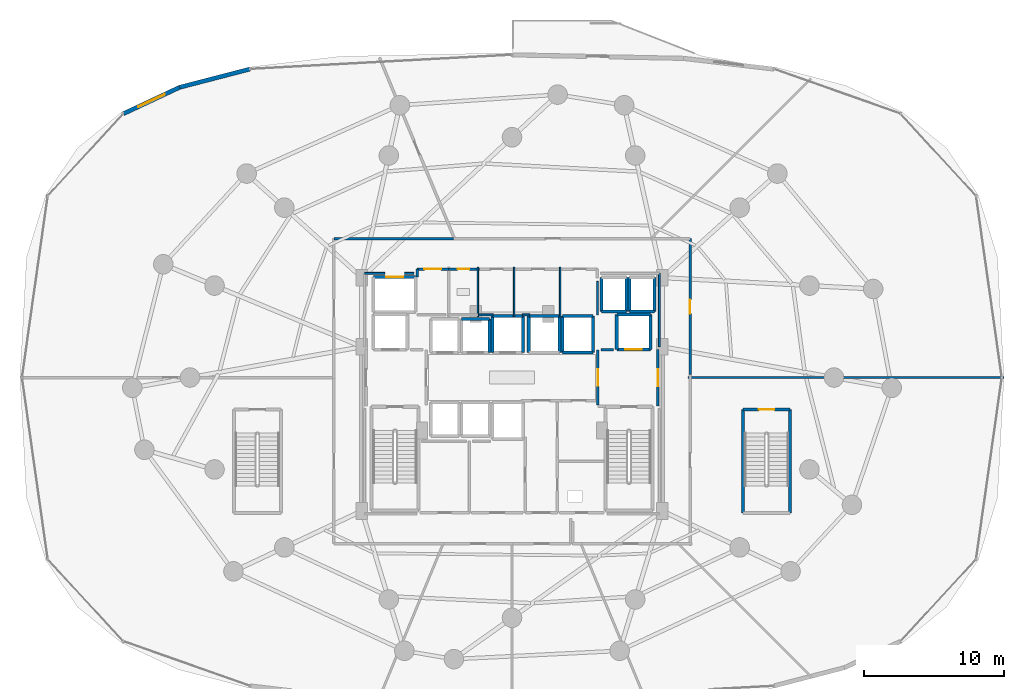
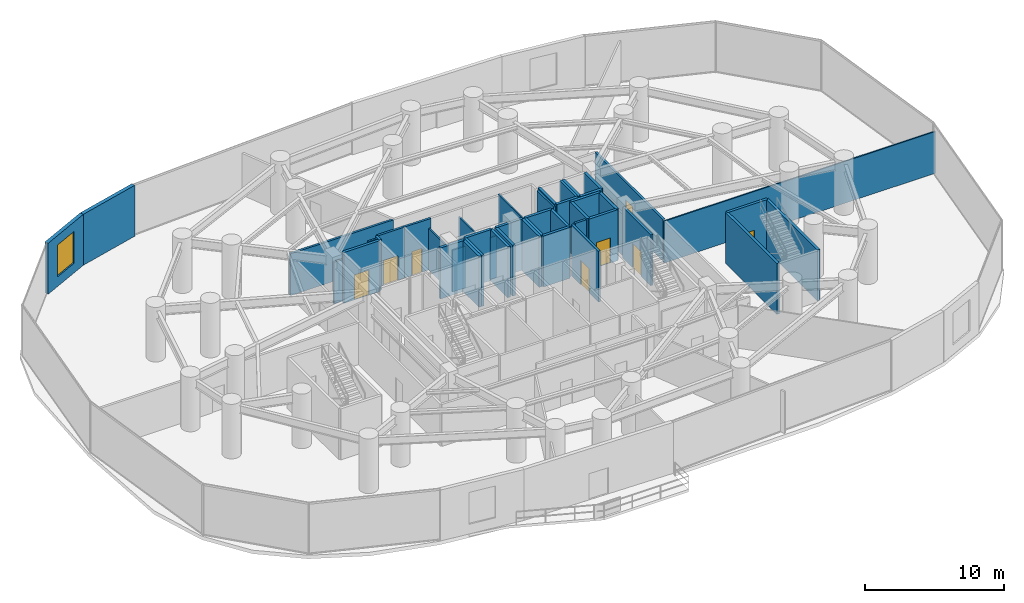
# One storey, part 26 of 30: 46 walls, 8 doors, 1 window, 9 openings.
"""IFC4 building model written with IfcOpenShell, lengths in metres."""

from ifc_helpers import new_model, si_unit, direction, frame, frame_2d, origin, place, context, subcontext, project, spatial, rectangle, extrude, material, layer, layer_set, type_object, element, fill, save


model = new_model("IFC4")

# Units and contexts
model_context = context("Model", 3, precision=1e-05, world=origin(), true_north=direction((0.0, 1.0)))
body_context = subcontext(model_context, "Body", "Model", "MODEL_VIEW")
ifc_project = project(units=[si_unit("LENGTHUNIT", "METRE"), si_unit("AREAUNIT", "SQUARE_METRE"), si_unit("VOLUMEUNIT", "CUBIC_METRE"), si_unit("PLANEANGLEUNIT", "RADIAN"), si_unit("MASSUNIT", "GRAM", prefix="KILO")], contexts=[model_context])

# Site, building, storey
site_placement = place(None, origin())
site = spatial("IfcSite", under=ifc_project, at=site_placement, CompositionType="ELEMENT")
building_placement = place(site_placement, origin())
building = spatial("IfcBuilding", under=site, at=building_placement, Name="Vorneva Point Tower", CompositionType="ELEMENT")
storey_placement = place(building_placement, frame((0.0, 0.0, 9.60009765625)))
storey = spatial("IfcBuildingStorey", under=building, at=storey_placement, Name="L02", CompositionType="ELEMENT", Elevation=9.60009765625)

# Wall, opening, door
ifc_material_1 = material(Name="Concrete B60 (C50/60)", Category="concrete")
ifc_layer_1 = layer(ifc_material_1, 0.5)
ifc_layer_set_1 = layer_set([ifc_layer_1], Name="Concrete B60 (C50/60)")
wall_type_1 = type_object("IfcWallType", Name="WL-CORE-500", PredefinedType="SHEAR", material=ifc_layer_set_1)
wall_1_placement = place(storey_placement, frame((45.5, 28.0, 0.0), z_axis=(0.0, 0.0, 1.0), x_axis=(1.0, 0.0, 0.0)))
wall_1 = element("IfcWall", 1, at=wall_1_placement, inside=storey, type_object=wall_type_1, Name="L02 Lift FFL2 Shaft Wall -Y", PredefinedType="SHEAR", context=body_context, shape_type="SweptSolid", body=[
    extrude(rectangle(XDim=2.39990234375, YDim=0.219970703125, at=frame_2d((1.199951171875, 0.0))), origin(), (0.0, 0.0, 1.0), 4.47998046875),
])
opening_1_placement = place(wall_1_placement, frame((0.60009765625, 0.0, 0.0)))
opening_1 = element("IfcOpeningElement", 2, at=opening_1_placement, cuts=wall_1, Name="Opening LD-02", PredefinedType="OPENING", context=body_context, shape_type="SweptSolid", body=[
    extrude(rectangle(XDim=1.199951171875, YDim=2.199951171875, at=frame_2d((0.60009765625, 1.10009765625))), frame((0.0, 0.125, 0.0), z_axis=(0.0, -1.0, 0.0), x_axis=(1.0, 0.0, 0.0)), (0.0, 0.0, 1.0), 0.249755859375),
])
ifc_material_2 = material(Name="Brushed stainless steel S304", Category="steel")
door_type_1 = type_object("IfcDoorType", Name="LD-FIRE-1200", OperationType="SLIDING_TO_LEFT", PredefinedType="DOOR", material=ifc_material_2)
door_1_placement = place(opening_1_placement, origin())
door_1 = element("IfcDoor", 3, at=door_1_placement, inside=storey, type_object=door_type_1, Name="L02 Lift FFL2 Sliding Landing Door", OperationType="SLIDING_TO_LEFT", OverallHeight=2.199951171875, OverallWidth=1.199951171875, PredefinedType="DOOR", context=body_context, shape_type="SweptSolid", body=[
    extrude(rectangle(XDim=1.199951171875, YDim=2.199951171875, at=frame_2d((0.60009765625, 1.10009765625))), frame((0.0, 0.02490234375, 0.0), z_axis=(0.0, -1.0, 0.0), x_axis=(1.0, 0.0, 0.0)), (0.0, 0.0, 1.0), 0.050048828125),
])
fill(opening_1, door_1)

# Walls
wall_2_placement = place(storey_placement, frame((47.89990234375, 28.0, 0.0), z_axis=(0.0, 0.0, 1.0), x_axis=(0.0, 1.0, 0.0)))
element("IfcWall", 4, at=wall_2_placement, inside=storey, type_object=wall_type_1, Name="L02 Lift FFL2 Shaft Wall +X", PredefinedType="SHEAR", context=body_context, shape_type="SweptSolid", body=[
    extrude(rectangle(XDim=2.5, YDim=0.219970703125, at=frame_2d((1.25, 0.0))), origin(), (0.0, 0.0, 1.0), 4.47998046875),
])
wall_3_placement = place(storey_placement, frame((47.89990234375, 30.5, 0.0), z_axis=(0.0, 0.0, 1.0), x_axis=(-1.0, 0.0, 0.0)))
element("IfcWall", 5, at=wall_3_placement, inside=storey, type_object=wall_type_1, Name="L02 Lift FFL2 Shaft Wall +Y", PredefinedType="SHEAR", context=body_context, shape_type="SweptSolid", body=[
    extrude(rectangle(XDim=2.39990234375, YDim=0.219970703125, at=frame_2d((1.199951171875, 0.0))), origin(), (0.0, 0.0, 1.0), 4.47998046875),
])
wall_4_placement = place(storey_placement, frame((45.5, 30.5, 0.0), z_axis=(0.0, 0.0, 1.0), x_axis=(0.0, -1.0, 0.0)))
element("IfcWall", 6, at=wall_4_placement, inside=storey, type_object=wall_type_1, Name="L02 Lift FFL2 Shaft Wall -X", PredefinedType="SHEAR", context=body_context, shape_type="SweptSolid", body=[
    extrude(rectangle(XDim=2.5, YDim=0.219970703125, at=frame_2d((1.25, 0.0))), origin(), (0.0, 0.0, 1.0), 4.47998046875),
])
ifc_material_3 = material(Name="Precast concrete B50 (C40/50)", Category="concrete")
ifc_layer_2 = layer(ifc_material_3, 0.300048828125)
ifc_layer_set_2 = layer_set([ifc_layer_2], Name="Precast concrete B50 (C40/50)")
wall_type_2 = type_object("IfcWallType", Name="WL-EXT-300", PredefinedType="STANDARD", material=ifc_layer_set_2)
wall_5_placement = place(storey_placement, frame((19.24609375, 48.0810546875, 0.0), z_axis=(0.0, 0.0, 1.0), x_axis=(-0.968005762902, -0.250927963744, 0.0)))
element("IfcWall", 7, at=wall_5_placement, inside=storey, type_object=wall_type_2, Name="L02 Pale-Metal Facade Spandrel Wall 06.1", PredefinedType="STANDARD", context=body_context, shape_type="SweptSolid", body=[
    extrude(rectangle(XDim=5.203369140625, YDim=0.300048828125, at=frame_2d((2.6015625, 0.0))), origin(), (0.0, 0.0, 1.0), 4.47998046875),
])

# Wall, opening, window
wall_6_placement = place(storey_placement, frame((14.209228515625, 46.775390625, 0.0), z_axis=(0.0, 0.0, 1.0), x_axis=(-0.905197342389, -0.4249914956, 0.0)))
wall_6 = element("IfcWall", 8, at=wall_6_placement, inside=storey, type_object=wall_type_2, Name="L02 Pale-Metal Facade Spandrel Wall 06.2", PredefinedType="STANDARD", context=body_context, shape_type="SweptSolid", body=[
    extrude(rectangle(XDim=4.45263671875, YDim=0.300048828125, at=frame_2d((2.226318359375, 0.0))), origin(), (0.0, 0.0, 1.0), 4.47998046875),
])
opening_2_placement = place(wall_6_placement, frame((1.17626953125, 0.0, 0.85009765625)))
opening_2 = element("IfcOpeningElement", 9, at=opening_2_placement, cuts=wall_6, Name="Opening W-05", PredefinedType="OPENING", context=body_context, shape_type="SweptSolid", body=[
    extrude(rectangle(XDim=2.10009765625, YDim=2.800048828125, at=frame_2d((1.050048828125, 1.39990234375))), frame((0.0, 0.1650390625, 0.0), z_axis=(0.0, -1.0, 0.0), x_axis=(1.0, 0.0, 0.0)), (0.0, 0.0, 1.0), 0.329833984375),
])
ifc_material_4 = material(Name="Double low-e laminated glass IGU", Category="glass")
window_type = type_object("IfcWindowType", Name="WN-POD-2100", PartitioningType="SINGLE_PANEL", PredefinedType="WINDOW", material=ifc_material_4)
window_placement = place(opening_2_placement, origin())
window = element("IfcWindow", 10, at=window_placement, inside=storey, type_object=window_type, Name="L02 Facade Window 06", OverallHeight=2.800048828125, OverallWidth=2.10009765625, PartitioningType="SINGLE_PANEL", PredefinedType="WINDOW", context=body_context, shape_type="SweptSolid", body=[
    extrude(rectangle(XDim=2.10009765625, YDim=2.800048828125, at=frame_2d((1.050048828125, 1.39990234375))), frame((0.0, 0.030029296875, 0.0), z_axis=(0.0, -1.0, 0.0), x_axis=(1.0, 0.0, 0.0)), (0.0, 0.0, 1.0), 0.06005859375),
])
fill(opening_2, window)

# Walls
ifc_material_5 = material(Name="Fire-rated acoustic gypsum stud partition", Category="gypsum")
ifc_layer_3 = layer(ifc_material_5, 0.110107421875)
ifc_layer_set_3 = layer_set([ifc_layer_3], Name="Fire-rated acoustic gypsum stud partition")
wall_type_3 = type_object("IfcWallType", Name="WL-PART-110", PredefinedType="PARTITIONING", material=ifc_layer_set_3)
for number, where, z_axis, x_axis, name in (
    (11, (35.550048828125, 30.340087890625, 0.0), (0.0, 0.0, 1.0), (0.0, 1.0, 0.0), "L02 Interior Partition 017"),
    (12, (38.14990234375, 30.340087890625, 0.0), (0.0, 0.0, 1.0), (0.0, 1.0, 0.0), "L02 Interior Partition 019"),
):
    element("IfcWall", number, at=place(storey_placement, frame(where, z_axis=z_axis, x_axis=x_axis)), inside=storey, type_object=wall_type_3, Name=name, PredefinedType="PARTITIONING", context=body_context, shape_type="SweptSolid", body=[
        extrude(rectangle(XDim=3.559814453125, YDim=0.110107421875, at=frame_2d((1.77978515625, 0.0))), origin(), (0.0, 0.0, 1.0), 3.671875),
    ])
wall_7_placement = place(storey_placement, frame((41.449951171875, 30.340087890625, 0.0), z_axis=(0.0, 0.0, 1.0), x_axis=(0.0, 1.0, 0.0)))
element("IfcWall", 13, at=wall_7_placement, inside=storey, type_object=wall_type_3, Name="L02 Interior Partition 021", PredefinedType="PARTITIONING", context=body_context, shape_type="SweptSolid", body=[
    extrude(rectangle(XDim=3.559814453125, YDim=0.110107421875, at=frame_2d((1.77978515625, 0.0))), origin(), (0.0, 0.0, 1.0), 4.47998046875),
])
wall_8_placement = place(storey_placement, frame((73.2099609375, 26.0, 0.0), z_axis=(0.0, 0.0, 1.0), x_axis=(-1.0, 0.0, 0.0)))
element("IfcWall", 14, at=wall_8_placement, inside=storey, type_object=wall_type_3, Name="L02 Interior Partition 050", PredefinedType="PARTITIONING", context=body_context, shape_type="SweptSolid", body=[
    extrude(rectangle(XDim=22.599853515625, YDim=0.110107421875, at=frame_2d((11.2998046875, 0.0))), origin(), (0.0, 0.0, 1.0), 3.671875),
])
ifc_layer_4 = layer(ifc_material_5, 0.139892578125)
ifc_layer_set_4 = layer_set([ifc_layer_4], Name="Fire-rated acoustic gypsum stud partition")
wall_type_4 = type_object("IfcWallType", Name="WL-PART-140", PredefinedType="PARTITIONING", material=ifc_layer_set_4)
wall_9_placement = place(storey_placement, frame((35.60009765625, 30.47998046875, 0.0), z_axis=(0.0, 0.0, 1.0), x_axis=(1.0, 0.0, 0.0)))
element("IfcWall", 15, at=wall_9_placement, inside=storey, type_object=wall_type_4, Name="L02 Interior Closure Partition 055", PredefinedType="PARTITIONING", context=body_context, shape_type="SweptSolid", body=[
    extrude(rectangle(XDim=1.06494140625, YDim=0.139892578125, at=frame_2d((0.532470703125, 0.0))), origin(), (0.0, 0.0, 1.0), 3.671875),
])
wall_10_placement = place(storey_placement, frame((38.735107421875, 30.47998046875, 0.0), z_axis=(0.0, 0.0, 1.0), x_axis=(1.0, 0.0, 0.0)))
element("IfcWall", 16, at=wall_10_placement, inside=storey, type_object=wall_type_4, Name="L02 Interior Closure Partition 056", PredefinedType="PARTITIONING", context=body_context, shape_type="SweptSolid", body=[
    extrude(rectangle(XDim=0.52978515625, YDim=0.139892578125, at=frame_2d((0.264892578125, 0.0))), origin(), (0.0, 0.0, 1.0), 3.671875),
])
wall_11_placement = place(storey_placement, frame((44.1201171875, 30.47998046875, 0.0), z_axis=(0.0, 0.0, 1.0), x_axis=(0.0, 1.0, 0.0)))
element("IfcWall", 17, at=wall_11_placement, inside=storey, type_object=wall_type_4, Name="L02 Interior Closure Partition 057", PredefinedType="PARTITIONING", context=body_context, shape_type="SweptSolid", body=[
    extrude(rectangle(XDim=2.409912109375, YDim=0.139892578125, at=frame_2d((1.205078125, 0.0))), origin(), (0.0, 0.0, 1.0), 4.47998046875),
])
wall_12_placement = place(storey_placement, frame((48.550048828125, 33.449951171875, 0.0), z_axis=(0.0, 0.0, 1.0), x_axis=(0.0, -1.0, 0.0)))
element("IfcWall", 18, at=wall_12_placement, inside=storey, type_object=wall_type_4, Name="L02 Interior Closure Partition 061", PredefinedType="PARTITIONING", context=body_context, shape_type="SweptSolid", body=[
    extrude(rectangle(XDim=5.25390625, YDim=0.139892578125, at=frame_2d((2.626953125, 0.0))), origin(), (0.0, 0.0, 1.0), 3.671875),
])
wall_13_placement = place(storey_placement, frame((27.449951171875, 33.449951171875, 0.0), z_axis=(0.0, 0.0, 1.0), x_axis=(1.0, 0.0, 0.0)))
element("IfcWall", 19, at=wall_13_placement, inside=storey, type_object=wall_type_4, Name="L02 Interior Closure Partition 067", PredefinedType="PARTITIONING", context=body_context, shape_type="SweptSolid", body=[
    extrude(rectangle(XDim=1.444091796875, YDim=0.139892578125, at=frame_2d((0.72216796875, 0.0))), origin(), (0.0, 0.0, 1.0), 3.671875),
])
wall_14_placement = place(storey_placement, frame((30.305908203125, 33.449951171875, 0.0), z_axis=(0.0, 0.0, 1.0), x_axis=(1.0, 0.0, 0.0)))
element("IfcWall", 20, at=wall_14_placement, inside=storey, type_object=wall_type_4, Name="L02 Interior Closure Partition 068", PredefinedType="PARTITIONING", context=body_context, shape_type="SweptSolid", body=[
    extrude(rectangle(XDim=0.674072265625, YDim=0.139892578125, at=frame_2d((0.3369140625, 0.0))), origin(), (0.0, 0.0, 1.0), 4.47998046875),
])

# Wall, opening, door
ifc_material_6 = material(Name="Autoclaved aerated concrete blockwork", Category="masonry")
ifc_layer_5 = layer(ifc_material_6, 0.179931640625)
ifc_layer_set_5 = layer_set([ifc_layer_5], Name="Autoclaved aerated concrete blockwork")
wall_type_5 = type_object("IfcWallType", Name="WL-PART-180", PredefinedType="PARTITIONING", material=ifc_layer_set_5)
wall_15_placement = place(storey_placement, frame((44.14990234375, 27.955078125, 0.0), z_axis=(0.0, 0.0, 1.0), x_axis=(0.0, -1.0, 0.0)))
wall_15 = element("IfcWall", 21, at=wall_15_placement, inside=storey, type_object=wall_type_5, Name="L02 Interior Partition 003", PredefinedType="PARTITIONING", context=body_context, shape_type="SweptSolid", body=[
    extrude(rectangle(XDim=3.91015625, YDim=0.179931640625, at=frame_2d((1.955078125, 0.0))), origin(), (0.0, 0.0, 1.0), 4.47998046875),
])
opening_3_placement = place(wall_15_placement, frame((1.35498046875, 0.0, 0.0)))
opening_3 = element("IfcOpeningElement", 22, at=opening_3_placement, cuts=wall_15, Name="Opening FD-02", PredefinedType="OPENING", context=body_context, shape_type="SweptSolid", body=[
    extrude(rectangle(XDim=1.199951171875, YDim=2.14990234375, at=frame_2d((0.60009765625, 1.074951171875))), frame((0.0, 0.10498046875, 0.0), z_axis=(0.0, -1.0, 0.0), x_axis=(1.0, 0.0, 0.0)), (0.0, 0.0, 1.0), 0.209716796875),
])
ifc_material_7 = material(Name="Fire-rated powder-coated steel", Category="steel")
door_type_2 = type_object("IfcDoorType", Name="DR-FFL-1200", OperationType="NOTDEFINED", PredefinedType="DOOR", material=ifc_material_7)
door_2_placement = place(opening_3_placement, origin())
door_2 = element("IfcDoor", 23, at=door_2_placement, inside=storey, type_object=door_type_2, Name="L02 Door East Firefighting Lobby / Central Lift Lobby", OperationType="SINGLE_SWING_LEFT", OverallHeight=2.14990234375, OverallWidth=1.199951171875, PredefinedType="DOOR", context=body_context, shape_type="SweptSolid", body=[
    extrude(rectangle(XDim=1.199951171875, YDim=2.14990234375, at=frame_2d((0.60009765625, 1.074951171875))), frame((0.0, 0.02490234375, 0.0), z_axis=(0.0, -1.0, 0.0), x_axis=(1.0, 0.0, 0.0)), (0.0, 0.0, 1.0), 0.050048828125),
])
fill(opening_3, door_2)

wall_16_placement = place(storey_placement, frame((48.449951171875, 23.949951171875, 0.0), z_axis=(0.0, 0.0, 1.0), x_axis=(0.0, 1.0, 0.0)))
wall_16 = element("IfcWall", 24, at=wall_16_placement, inside=storey, type_object=wall_type_5, Name="L02 Interior Partition 005", PredefinedType="PARTITIONING", context=body_context, shape_type="SweptSolid", body=[
    extrude(rectangle(XDim=4.050048828125, YDim=0.179931640625, at=frame_2d((2.02490234375, 0.0))), origin(), (0.0, 0.0, 1.0), 4.47998046875),
])
opening_4_placement = place(wall_16_placement, frame((1.425048828125, 0.0, 0.0)))
opening_4 = element("IfcOpeningElement", 25, at=opening_4_placement, cuts=wall_16, Name="Opening FD-02", PredefinedType="OPENING", context=body_context, shape_type="SweptSolid", body=[
    extrude(rectangle(XDim=1.199951171875, YDim=2.14990234375, at=frame_2d((0.60009765625, 1.074951171875))), frame((0.0, 0.10498046875, 0.0), z_axis=(0.0, -1.0, 0.0), x_axis=(1.0, 0.0, 0.0)), (0.0, 0.0, 1.0), 0.209716796875),
])
door_3_placement = place(opening_4_placement, origin())
door_3 = element("IfcDoor", 26, at=door_3_placement, inside=storey, type_object=door_type_2, Name="L02 Door East Firefighting Lobby / L02 Circulation Corridor", OperationType="SINGLE_SWING_LEFT", OverallHeight=2.14990234375, OverallWidth=1.199951171875, PredefinedType="DOOR", context=body_context, shape_type="SweptSolid", body=[
    extrude(rectangle(XDim=1.199951171875, YDim=2.14990234375, at=frame_2d((0.60009765625, 1.074951171875))), frame((0.0, 0.02490234375, 0.0), z_axis=(0.0, -1.0, 0.0), x_axis=(1.0, 0.0, 0.0)), (0.0, 0.0, 1.0), 0.050048828125),
])
fill(opening_4, door_3)

wall_17_placement = place(storey_placement, frame((33.469970703125, 33.760009765625, 0.0), z_axis=(0.0, 0.0, 1.0), x_axis=(-1.0, 0.0, 0.0)))
wall_17 = element("IfcWall", 27, at=wall_17_placement, inside=storey, type_object=wall_type_5, Name="L02 Interior Partition 007", PredefinedType="PARTITIONING", context=body_context, shape_type="SweptSolid", body=[
    extrude(rectangle(XDim=2.27001953125, YDim=0.179931640625, at=frame_2d((1.135009765625, 0.0))), origin(), (0.0, 0.0, 1.0), 4.47998046875),
])
opening_5_placement = place(wall_17_placement, frame((0.534912109375, 0.0, 0.0)))
opening_5 = element("IfcOpeningElement", 28, at=opening_5_placement, cuts=wall_17, Name="Opening FD-02", PredefinedType="OPENING", context=body_context, shape_type="SweptSolid", body=[
    extrude(rectangle(XDim=1.199951171875, YDim=2.14990234375, at=frame_2d((0.60009765625, 1.074951171875))), frame((0.0, 0.10498046875, 0.0), z_axis=(0.0, -1.0, 0.0), x_axis=(1.0, 0.0, 0.0)), (0.0, 0.0, 1.0), 0.209716796875),
])
door_4_placement = place(opening_5_placement, origin())
door_4 = element("IfcDoor", 29, at=door_4_placement, inside=storey, type_object=door_type_2, Name="L02 Door Service Lift Lobby / L02 Circulation Corridor", OperationType="SINGLE_SWING_LEFT", OverallHeight=2.14990234375, OverallWidth=1.199951171875, PredefinedType="DOOR", context=body_context, shape_type="SweptSolid", body=[
    extrude(rectangle(XDim=1.199951171875, YDim=2.14990234375, at=frame_2d((0.60009765625, 1.074951171875))), frame((0.0, 0.02490234375, 0.0), z_axis=(0.0, -1.0, 0.0), x_axis=(1.0, 0.0, 0.0)), (0.0, 0.0, 1.0), 0.050048828125),
])
fill(opening_5, door_4)

# Wall
wall_18_placement = place(storey_placement, frame((31.199951171875, 33.760009765625, 0.0), z_axis=(0.0, 0.0, 1.0), x_axis=(0.0, -1.0, 0.0)))
element("IfcWall", 30, at=wall_18_placement, inside=storey, type_object=wall_type_5, Name="L02 Interior Partition 008", PredefinedType="PARTITIONING", context=body_context, shape_type="SweptSolid", body=[
    extrude(rectangle(XDim=0.56005859375, YDim=0.179931640625, at=frame_2d((0.280029296875, 0.0))), origin(), (0.0, 0.0, 1.0), 4.47998046875),
])

# Wall, opening, door
wall_19_placement = place(storey_placement, frame((35.68994140625, 33.760009765625, 0.0), z_axis=(0.0, 0.0, 1.0), x_axis=(-1.0, 0.0, 0.0)))
wall_19 = element("IfcWall", 31, at=wall_19_placement, inside=storey, type_object=wall_type_5, Name="L02 Interior Partition 018", PredefinedType="PARTITIONING", context=body_context, shape_type="SweptSolid", body=[
    extrude(rectangle(XDim=2.329833984375, YDim=0.179931640625, at=frame_2d((1.1650390625, 0.0))), origin(), (0.0, 0.0, 1.0), 4.47998046875),
])
opening_6_placement = place(wall_19_placement, frame((0.739990234375, 0.0, 0.0)))
opening_6 = element("IfcOpeningElement", 32, at=opening_6_placement, cuts=wall_19, Name="Opening ID-02", PredefinedType="OPENING", context=body_context, shape_type="SweptSolid", body=[
    extrude(rectangle(XDim=0.85009765625, YDim=2.10009765625, at=frame_2d((0.425048828125, 1.050048828125))), frame((0.0, 0.10498046875, 0.0), z_axis=(0.0, -1.0, 0.0), x_axis=(1.0, 0.0, 0.0)), (0.0, 0.0, 1.0), 0.209716796875),
])
ifc_material_8 = material(Name="Engineered oak fire-rated door leaf", Category="wood")
door_type_3 = type_object("IfcDoorType", Name="DR-BATH-850", OperationType="NOTDEFINED", PredefinedType="DOOR", material=ifc_material_8)
door_5_placement = place(opening_6_placement, origin())
door_5 = element("IfcDoor", 33, at=door_5_placement, inside=storey, type_object=door_type_3, Name="L02 Door Accessible WC / L02 Circulation Corridor", OperationType="SINGLE_SWING_LEFT", OverallHeight=2.10009765625, OverallWidth=0.85009765625, PredefinedType="DOOR", context=body_context, shape_type="SweptSolid", body=[
    extrude(rectangle(XDim=0.85009765625, YDim=2.10009765625, at=frame_2d((0.425048828125, 1.050048828125))), frame((0.0, 0.02490234375, 0.0), z_axis=(0.0, -1.0, 0.0), x_axis=(1.0, 0.0, 0.0)), (0.0, 0.0, 1.0), 0.050048828125),
])
fill(opening_6, door_5)

# Wall
wall_20_placement = place(storey_placement, frame((33.81396484375, 35.949951171875, 0.0), z_axis=(0.0, 0.0, 1.0), x_axis=(-1.0, 0.0, 0.0)))
element("IfcWall", 34, at=wall_20_placement, inside=storey, type_object=wall_type_5, Name="L02 Interior Partition 029", PredefinedType="PARTITIONING", context=body_context, shape_type="SweptSolid", body=[
    extrude(rectangle(XDim=8.56396484375, YDim=0.179931640625, at=frame_2d((4.281982421875, 0.0))), origin(), (0.0, 0.0, 1.0), 3.671875),
])

# Wall, opening, door
wall_21_placement = place(storey_placement, frame((50.75, 26.199951171875, 0.0), z_axis=(0.0, 0.0, 1.0), x_axis=(0.0, 1.0, 0.0)))
wall_21 = element("IfcWall", 35, at=wall_21_placement, inside=storey, type_object=wall_type_5, Name="L02 Interior Partition 041", PredefinedType="PARTITIONING", context=body_context, shape_type="SweptSolid", body=[
    extrude(rectangle(XDim=9.75, YDim=0.179931640625, at=frame_2d((4.875, 0.0))), origin(), (0.0, 0.0, 1.0), 3.671875),
])
opening_7_placement = place(wall_21_placement, frame((4.375, 0.0, 0.0)))
opening_7 = element("IfcOpeningElement", 36, at=opening_7_placement, cuts=wall_21, Name="Opening UD-01", PredefinedType="OPENING", context=body_context, shape_type="SweptSolid", body=[
    extrude(rectangle(XDim=1.0, YDim=2.14990234375, at=frame_2d((0.5, 1.074951171875))), frame((0.0, 0.10498046875, 0.0), z_axis=(0.0, -1.0, 0.0), x_axis=(1.0, 0.0, 0.0)), (0.0, 0.0, 1.0), 0.209716796875),
])
door_type_4 = type_object("IfcDoorType", Name="DR-UNIT-1000", OperationType="NOTDEFINED", PredefinedType="DOOR", material=ifc_material_8)
door_6_placement = place(opening_7_placement, origin())
door_6 = element("IfcDoor", 37, at=door_6_placement, inside=storey, type_object=door_type_4, Name="L02 Door L02 Circulation Corridor / Retail Shop L02-B", OperationType="SINGLE_SWING_RIGHT", OverallHeight=2.14990234375, OverallWidth=1.0, PredefinedType="DOOR", context=body_context, shape_type="SweptSolid", body=[
    extrude(rectangle(XDim=1.0, YDim=2.14990234375, at=frame_2d((0.5, 1.074951171875))), frame((0.0, 0.02490234375, 0.0), z_axis=(0.0, -1.0, 0.0), x_axis=(1.0, 0.0, 0.0)), (0.0, 0.0, 1.0), 0.050048828125),
])
fill(opening_7, door_6)

# Wall
wall_22_placement = place(storey_placement, frame((45.280029296875, 28.0, 0.0), z_axis=(0.0, 0.0, 1.0), x_axis=(-1.0, 0.0, 0.0)))
element("IfcWall", 38, at=wall_22_placement, inside=storey, type_object=wall_type_5, Name="L02 Interior Closure Partition 052", PredefinedType="PARTITIONING", context=body_context, shape_type="SweptSolid", body=[
    extrude(rectangle(XDim=0.9150390625, YDim=0.179931640625, at=frame_2d((0.45751953125, 0.0))), origin(), (0.0, 0.0, 1.0), 4.47998046875),
])

# Wall, opening, door
ifc_material_9 = material(Name="Concrete B50 (C40/50)", Category="concrete")
ifc_layer_6 = layer(ifc_material_9, 0.219970703125)
ifc_layer_set_6 = layer_set([ifc_layer_6], Name="Concrete B50 (C40/50)")
wall_type_6 = type_object("IfcWallType", Name="WL-SHFT-220", PredefinedType="SOLIDWALL", material=ifc_layer_set_6)
wall_23_placement = place(storey_placement, frame((54.5400390625, 23.7099609375, 0.0), z_axis=(0.0, 0.0, 1.0), x_axis=(1.0, 0.0, 0.0)))
wall_23 = element("IfcWall", 39, at=wall_23_placement, inside=storey, type_object=wall_type_6, Name="L02 Exit Stair ST4 Shaft Wall near", PredefinedType="SOLIDWALL", context=body_context, shape_type="SweptSolid", body=[
    extrude(rectangle(XDim=3.369873046875, YDim=0.219970703125, at=frame_2d((1.68505859375, 0.0))), origin(), (0.0, 0.0, 1.0), 4.47998046875),
])
opening_8_placement = place(wall_23_placement, frame((1.135009765625, 0.0, 0.0)))
opening_8 = element("IfcOpeningElement", 40, at=opening_8_placement, cuts=wall_23, Name="Opening FD-01", PredefinedType="OPENING", context=body_context, shape_type="SweptSolid", body=[
    extrude(rectangle(XDim=1.10009765625, YDim=2.14990234375, at=frame_2d((0.550048828125, 1.074951171875))), frame((0.0, 0.125, 0.0), z_axis=(0.0, -1.0, 0.0), x_axis=(1.0, 0.0, 0.0)), (0.0, 0.0, 1.0), 0.249755859375),
])
door_type_5 = type_object("IfcDoorType", Name="DR-STAIR-1100", OperationType="NOTDEFINED", PredefinedType="DOOR", material=ifc_material_7)
door_7_placement = place(opening_8_placement, origin())
door_7 = element("IfcDoor", 41, at=door_7_placement, inside=storey, type_object=door_type_5, Name="L02 Exit Stair ST4 Fire Door", OperationType="SINGLE_SWING_LEFT", OverallHeight=2.14990234375, OverallWidth=1.10009765625, PredefinedType="DOOR", context=body_context, shape_type="SweptSolid", body=[
    extrude(rectangle(XDim=1.10009765625, YDim=2.14990234375, at=frame_2d((0.550048828125, 1.074951171875))), frame((0.0, 0.02490234375, 0.0), z_axis=(0.0, -1.0, 0.0), x_axis=(1.0, 0.0, 0.0)), (0.0, 0.0, 1.0), 0.050048828125),
])
fill(opening_8, door_7)

# Walls
for number, where, z_axis, x_axis, name in (
    (42, (57.909912109375, 23.7099609375, 0.0), (0.0, 0.0, 1.0), (0.0, -1.0, 0.0), "L02 Exit Stair ST4 Shaft Wall right"),
    (43, (54.5400390625, 16.2900390625, 0.0), (0.0, 0.0, 1.0), (0.0, 1.0, 0.0), "L02 Exit Stair ST4 Shaft Wall left"),
):
    element("IfcWall", number, at=place(storey_placement, frame(where, z_axis=z_axis, x_axis=x_axis)), inside=storey, type_object=wall_type_6, Name=name, PredefinedType="SOLIDWALL", context=body_context, shape_type="SweptSolid", body=[
        extrude(rectangle(XDim=7.419921875, YDim=0.219970703125, at=frame_2d((3.7099609375, 0.0))), origin(), (0.0, 0.0, 1.0), 4.47998046875),
    ])
wall_24_placement = place(storey_placement, frame((36.39990234375, 27.800048828125, 0.0), z_axis=(0.0, 0.0, 1.0), x_axis=(0.0, 1.0, 0.0)))
element("IfcWall", 44, at=wall_24_placement, inside=storey, type_object=wall_type_6, Name="L02 Lift PL2 Shaft Wall +X", PredefinedType="SOLIDWALL", context=body_context, shape_type="SweptSolid", body=[
    extrude(rectangle(XDim=2.39990234375, YDim=0.219970703125, at=frame_2d((1.199951171875, 0.0))), origin(), (0.0, 0.0, 1.0), 4.47998046875),
])
wall_25_placement = place(storey_placement, frame((36.39990234375, 30.199951171875, 0.0), z_axis=(0.0, 0.0, 1.0), x_axis=(-1.0, 0.0, 0.0)))
element("IfcWall", 45, at=wall_25_placement, inside=storey, type_object=wall_type_6, Name="L02 Lift PL2 Shaft Wall +Y", PredefinedType="SOLIDWALL", context=body_context, shape_type="SweptSolid", body=[
    extrude(rectangle(XDim=2.0, YDim=0.219970703125, at=frame_2d((1.0, 0.0))), origin(), (0.0, 0.0, 1.0), 4.47998046875),
])
wall_26_placement = place(storey_placement, frame((38.800048828125, 27.800048828125, 0.0), z_axis=(0.0, 0.0, 1.0), x_axis=(0.0, 1.0, 0.0)))
element("IfcWall", 46, at=wall_26_placement, inside=storey, type_object=wall_type_6, Name="L02 Lift PL3 Shaft Wall +X", PredefinedType="SOLIDWALL", context=body_context, shape_type="SweptSolid", body=[
    extrude(rectangle(XDim=2.599853515625, YDim=0.219970703125, at=frame_2d((1.2998046875, 0.0))), origin(), (0.0, 0.0, 1.0), 4.47998046875),
])
wall_27_placement = place(storey_placement, frame((38.800048828125, 30.39990234375, 0.0), z_axis=(0.0, 0.0, 1.0), x_axis=(-1.0, 0.0, 0.0)))
element("IfcWall", 47, at=wall_27_placement, inside=storey, type_object=wall_type_6, Name="L02 Lift PL3 Shaft Wall +Y", PredefinedType="SOLIDWALL", context=body_context, shape_type="SweptSolid", body=[
    extrude(rectangle(XDim=2.199951171875, YDim=0.219970703125, at=frame_2d((1.10009765625, 0.0))), origin(), (0.0, 0.0, 1.0), 4.47998046875),
])
for number, where, z_axis, x_axis, name in (
    (48, (36.60009765625, 30.39990234375, 0.0), (0.0, 0.0, 1.0), (0.0, -1.0, 0.0), "L02 Lift PL3 Shaft Wall -X"),
    (49, (41.39990234375, 27.800048828125, 0.0), (0.0, 0.0, 1.0), (0.0, 1.0, 0.0), "L02 Lift PL7 Shaft Wall +X"),
):
    element("IfcWall", number, at=place(storey_placement, frame(where, z_axis=z_axis, x_axis=x_axis)), inside=storey, type_object=wall_type_6, Name=name, PredefinedType="SOLIDWALL", context=body_context, shape_type="SweptSolid", body=[
        extrude(rectangle(XDim=2.599853515625, YDim=0.219970703125, at=frame_2d((1.2998046875, 0.0))), origin(), (0.0, 0.0, 1.0), 4.47998046875),
    ])
wall_28_placement = place(storey_placement, frame((41.39990234375, 30.39990234375, 0.0), z_axis=(0.0, 0.0, 1.0), x_axis=(-1.0, 0.0, 0.0)))
element("IfcWall", 50, at=wall_28_placement, inside=storey, type_object=wall_type_6, Name="L02 Lift PL7 Shaft Wall +Y", PredefinedType="SOLIDWALL", context=body_context, shape_type="SweptSolid", body=[
    extrude(rectangle(XDim=2.199951171875, YDim=0.219970703125, at=frame_2d((1.10009765625, 0.0))), origin(), (0.0, 0.0, 1.0), 4.47998046875),
])
wall_29_placement = place(storey_placement, frame((39.199951171875, 30.39990234375, 0.0), z_axis=(0.0, 0.0, 1.0), x_axis=(0.0, -1.0, 0.0)))
element("IfcWall", 51, at=wall_29_placement, inside=storey, type_object=wall_type_6, Name="L02 Lift PL7 Shaft Wall -X", PredefinedType="SOLIDWALL", context=body_context, shape_type="SweptSolid", body=[
    extrude(rectangle(XDim=2.599853515625, YDim=0.219970703125, at=frame_2d((1.2998046875, 0.0))), origin(), (0.0, 0.0, 1.0), 4.47998046875),
])
wall_30_placement = place(storey_placement, frame((41.60009765625, 27.800048828125, 0.0), z_axis=(0.0, 0.0, 1.0), x_axis=(1.0, 0.0, 0.0)))
element("IfcWall", 52, at=wall_30_placement, inside=storey, type_object=wall_type_6, Name="L02 Lift PL8 Shaft Wall -Y", PredefinedType="SOLIDWALL", context=body_context, shape_type="SweptSolid", body=[
    extrude(rectangle(XDim=2.199951171875, YDim=0.219970703125, at=frame_2d((1.10009765625, 0.0))), origin(), (0.0, 0.0, 1.0), 4.47998046875),
])
wall_31_placement = place(storey_placement, frame((43.800048828125, 27.800048828125, 0.0), z_axis=(0.0, 0.0, 1.0), x_axis=(0.0, 1.0, 0.0)))
element("IfcWall", 53, at=wall_31_placement, inside=storey, type_object=wall_type_6, Name="L02 Lift PL8 Shaft Wall +X", PredefinedType="SOLIDWALL", context=body_context, shape_type="SweptSolid", body=[
    extrude(rectangle(XDim=2.599853515625, YDim=0.219970703125, at=frame_2d((1.2998046875, 0.0))), origin(), (0.0, 0.0, 1.0), 4.47998046875),
])
wall_32_placement = place(storey_placement, frame((43.800048828125, 30.39990234375, 0.0), z_axis=(0.0, 0.0, 1.0), x_axis=(-1.0, 0.0, 0.0)))
element("IfcWall", 54, at=wall_32_placement, inside=storey, type_object=wall_type_6, Name="L02 Lift PL8 Shaft Wall +Y", PredefinedType="SOLIDWALL", context=body_context, shape_type="SweptSolid", body=[
    extrude(rectangle(XDim=2.199951171875, YDim=0.219970703125, at=frame_2d((1.10009765625, 0.0))), origin(), (0.0, 0.0, 1.0), 4.47998046875),
])
wall_33_placement = place(storey_placement, frame((41.60009765625, 30.39990234375, 0.0), z_axis=(0.0, 0.0, 1.0), x_axis=(0.0, -1.0, 0.0)))
element("IfcWall", 55, at=wall_33_placement, inside=storey, type_object=wall_type_6, Name="L02 Lift PL8 Shaft Wall -X", PredefinedType="SOLIDWALL", context=body_context, shape_type="SweptSolid", body=[
    extrude(rectangle(XDim=2.599853515625, YDim=0.219970703125, at=frame_2d((1.2998046875, 0.0))), origin(), (0.0, 0.0, 1.0), 4.47998046875),
])
wall_34_placement = place(storey_placement, frame((44.39990234375, 30.739990234375, 0.0), z_axis=(0.0, 0.0, 1.0), x_axis=(1.0, 0.0, 0.0)))
element("IfcWall", 56, at=wall_34_placement, inside=storey, type_object=wall_type_6, Name="L02 Lift EX1 Shaft Wall -Y", PredefinedType="SOLIDWALL", context=body_context, shape_type="SweptSolid", body=[
    extrude(rectangle(XDim=1.800048828125, YDim=0.219970703125, at=frame_2d((0.89990234375, 0.0))), origin(), (0.0, 0.0, 1.0), 4.47998046875),
])
for number, where, z_axis, x_axis, name in (
    (57, (46.199951171875, 30.739990234375, 0.0), (0.0, 0.0, 1.0), (0.0, 1.0, 0.0), "L02 Lift EX1 Shaft Wall +X"),
    (58, (44.39990234375, 33.159912109375, 0.0), (0.0, 0.0, 1.0), (0.0, -1.0, 0.0), "L02 Lift EX1 Shaft Wall -X"),
):
    element("IfcWall", number, at=place(storey_placement, frame(where, z_axis=z_axis, x_axis=x_axis)), inside=storey, type_object=wall_type_6, Name=name, PredefinedType="SOLIDWALL", context=body_context, shape_type="SweptSolid", body=[
        extrude(rectangle(XDim=2.419921875, YDim=0.219970703125, at=frame_2d((1.2099609375, 0.0))), origin(), (0.0, 0.0, 1.0), 4.47998046875),
    ])
wall_35_placement = place(storey_placement, frame((46.39990234375, 30.739990234375, 0.0), z_axis=(0.0, 0.0, 1.0), x_axis=(1.0, 0.0, 0.0)))
element("IfcWall", 59, at=wall_35_placement, inside=storey, type_object=wall_type_6, Name="L02 Lift EX2 Shaft Wall -Y", PredefinedType="SOLIDWALL", context=body_context, shape_type="SweptSolid", body=[
    extrude(rectangle(XDim=1.800048828125, YDim=0.219970703125, at=frame_2d((0.89990234375, 0.0))), origin(), (0.0, 0.0, 1.0), 4.47998046875),
])
for number, where, z_axis, x_axis, name in (
    (60, (48.199951171875, 30.739990234375, 0.0), (0.0, 0.0, 1.0), (0.0, 1.0, 0.0), "L02 Lift EX2 Shaft Wall +X"),
    (61, (46.39990234375, 33.159912109375, 0.0), (0.0, 0.0, 1.0), (0.0, -1.0, 0.0), "L02 Lift EX2 Shaft Wall -X"),
):
    element("IfcWall", number, at=place(storey_placement, frame(where, z_axis=z_axis, x_axis=x_axis)), inside=storey, type_object=wall_type_6, Name=name, PredefinedType="SOLIDWALL", context=body_context, shape_type="SweptSolid", body=[
        extrude(rectangle(XDim=2.419921875, YDim=0.219970703125, at=frame_2d((1.2099609375, 0.0))), origin(), (0.0, 0.0, 1.0), 4.47998046875),
    ])

# Wall, opening, door
wall_36_placement = place(storey_placement, frame((31.10009765625, 33.199951171875, 0.0), z_axis=(0.0, 0.0, 1.0), x_axis=(-1.0, 0.0, 0.0)))
wall_36 = element("IfcWall", 62, at=wall_36_placement, inside=storey, type_object=wall_type_6, Name="L02 Lift SVL1 Shaft Wall +Y", PredefinedType="SOLIDWALL", context=body_context, shape_type="SweptSolid", body=[
    extrude(rectangle(XDim=3.0, YDim=0.219970703125, at=frame_2d((1.5, 0.0))), origin(), (0.0, 0.0, 1.0), 4.47998046875),
])
opening_9_placement = place(wall_36_placement, frame((0.89990234375, 0.0, 0.0)))
opening_9 = element("IfcOpeningElement", 63, at=opening_9_placement, cuts=wall_36, Name="Opening LD-02", PredefinedType="OPENING", context=body_context, shape_type="SweptSolid", body=[
    extrude(rectangle(XDim=1.199951171875, YDim=2.199951171875, at=frame_2d((0.60009765625, 1.10009765625))), frame((0.0, 0.125, 0.0), z_axis=(0.0, -1.0, 0.0), x_axis=(1.0, 0.0, 0.0)), (0.0, 0.0, 1.0), 0.249755859375),
])
door_8_placement = place(opening_9_placement, origin())
door_8 = element("IfcDoor", 64, at=door_8_placement, inside=storey, type_object=door_type_1, Name="L02 Lift SVL1 Sliding Landing Door", OperationType="SLIDING_TO_LEFT", OverallHeight=2.199951171875, OverallWidth=1.199951171875, PredefinedType="DOOR", context=body_context, shape_type="SweptSolid", body=[
    extrude(rectangle(XDim=1.199951171875, YDim=2.199951171875, at=frame_2d((0.60009765625, 1.10009765625))), frame((0.0, 0.02490234375, 0.0), z_axis=(0.0, -1.0, 0.0), x_axis=(1.0, 0.0, 0.0)), (0.0, 0.0, 1.0), 0.050048828125),
])
fill(opening_9, door_8)

save(model, "model.ifc")
